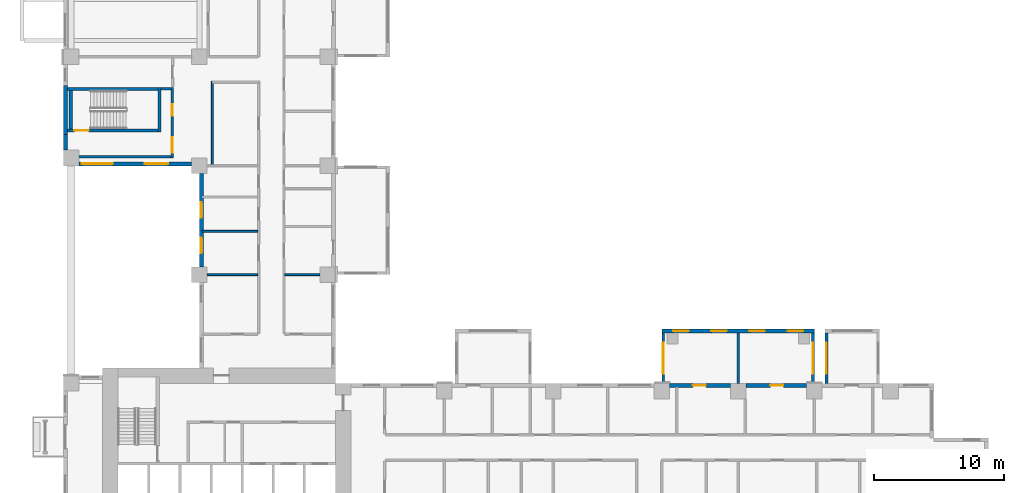
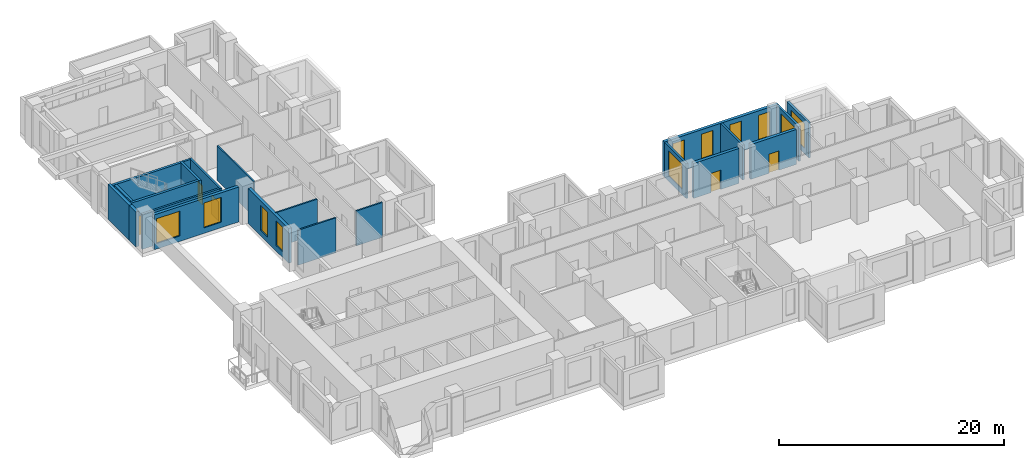
# One storey, part 6 of 14: 22 walls, 11 windows, 5 doors, 16 openings.
"""IFC4 building model written with IfcOpenShell, lengths in metres."""

from ifc_helpers import new_model, si_unit, direction, frame, frame_2d, origin, place, context, subcontext, project, spatial, rectangle, extrude, source, transform, mapped, material, layer, layer_set, type_object, element, fill, save


model = new_model("IFC4")

# Units and contexts
model_context = context("Model", 3, precision=1e-05, world=origin(), true_north=direction((0.0, 1.0)))
body_context = subcontext(model_context, "Body", "Model", "MODEL_VIEW")
ifc_project = project(units=[si_unit("LENGTHUNIT", "METRE"), si_unit("AREAUNIT", "SQUARE_METRE"), si_unit("VOLUMEUNIT", "CUBIC_METRE"), si_unit("PLANEANGLEUNIT", "RADIAN"), si_unit("MASSUNIT", "GRAM", prefix="KILO")], contexts=[model_context])

# Site, building, storey
site_placement = place(None, origin())
site = spatial("IfcSite", under=ifc_project, at=site_placement, CompositionType="ELEMENT")
building_placement = place(site_placement, origin())
building = spatial("IfcBuilding", under=site, at=building_placement, Name="Aurelian Terraces", CompositionType="ELEMENT")
storey_placement = place(building_placement, frame((0.0, 0.0, 78.3)))
storey = spatial("IfcBuildingStorey", under=building, at=storey_placement, Name="L16", CompositionType="ELEMENT", Elevation=78.3)

# Wall, openings, windows
ifc_material_1 = material(Name="Terracotta rainscreen cladding", Category="masonry")
ifc_layer_1 = layer(ifc_material_1, 0.3)
ifc_layer_set_1 = layer_set([ifc_layer_1], Name="EW-300")
wall_type_1 = type_object("IfcWallType", Name="EW-300", PredefinedType="STANDARD", material=ifc_layer_set_1)
shared_shape_1 = source(origin(), body_context, "Body", "SweptSolid", [
    extrude(rectangle(XDim=7.2, YDim=0.3, at=frame_2d((3.6, 0.0))), origin(), (0.0, 0.0, 1.0), 3.8),
])
wall_1_placement = place(storey_placement, frame((10.65, 37.2, 0.0), z_axis=(0.0, 0.0, 1.0), x_axis=(0.0, -1.0, 0.0)))
wall_1 = element("IfcWall", 1, at=wall_1_placement, inside=storey, type_object=wall_type_1, Name="External wall L16 F14.33", PredefinedType="STANDARD", context=body_context, shape_type="MappedRepresentation", body=[
    mapped(shared_shape_1, transform((0.0, 0.0, 0.0), scale=1.0)),
])
shared_shape_2 = source(origin(), body_context, "Body", "SweptSolid", [
    extrude(rectangle(XDim=1.2, YDim=2.7, at=frame_2d((0.6, 1.35))), frame((0.0, 0.16, 0.0), z_axis=(0.0, -1.0, 0.0), x_axis=(1.0, 0.0, 0.0)), (0.0, 0.0, 1.0), 0.32),
])
opening_1_placement = place(wall_1_placement, frame((4.9425, 0.0, 0.6)))
opening_1 = element("IfcOpeningElement", 2, at=opening_1_placement, cuts=wall_1, Name="Opening W1227", PredefinedType="OPENING", context=body_context, shape_type="MappedRepresentation", body=[
    mapped(shared_shape_2, transform((0.0, 0.0, 0.0), scale=1.0)),
])
opening_2_placement = place(wall_1_placement, frame((2.2291, 0.0, 0.6)))
opening_2 = element("IfcOpeningElement", 3, at=opening_2_placement, cuts=wall_1, Name="Opening W1227", PredefinedType="OPENING", context=body_context, shape_type="MappedRepresentation", body=[
    mapped(shared_shape_2, transform((0.0, 0.0, 0.0), scale=1.0)),
])
ifc_material_2 = material(Name="Clear glazing", Category="glass")
window_type_1 = type_object("IfcWindowType", Name="W-1200x2700", PartitioningType="SINGLE_PANEL", PredefinedType="WINDOW", material=ifc_material_2)
shared_shape_3 = source(origin(), body_context, "Body", "SweptSolid", [
    extrude(rectangle(XDim=1.2, YDim=2.7, at=frame_2d((0.6, 1.35))), frame((0.0, 0.03, 0.0), z_axis=(0.0, -1.0, 0.0), x_axis=(1.0, 0.0, 0.0)), (0.0, 0.0, 1.0), 0.06),
])
window_1_placement = place(opening_1_placement, origin())
window_1 = element("IfcWindow", 4, at=window_1_placement, inside=storey, type_object=window_type_1, Name="Window L16 L16-F14-33-1", OverallHeight=2.7, OverallWidth=1.2, PartitioningType="SINGLE_PANEL", PredefinedType="WINDOW", context=body_context, shape_type="MappedRepresentation", body=[
    mapped(shared_shape_3, transform((0.0, 0.0, 0.0), scale=1.0)),
])
fill(opening_1, window_1)
window_2_placement = place(opening_2_placement, origin())
window_2 = element("IfcWindow", 5, at=window_2_placement, inside=storey, type_object=window_type_1, Name="Window L16 L16-F14-33-G0-6", OverallHeight=2.7, OverallWidth=1.2, PartitioningType="SINGLE_PANEL", PredefinedType="WINDOW", context=body_context, shape_type="MappedRepresentation", body=[
    mapped(shared_shape_3, transform((0.0, 0.0, 0.0), scale=1.0)),
])
fill(opening_2, window_2)

# Wall, opening, door
shared_shape_4 = source(origin(), body_context, "Body", "SweptSolid", [
    extrude(rectangle(XDim=4.68, YDim=0.3, at=frame_2d((2.34, 0.0))), origin(), (0.0, 0.0, 1.0), 3.8),
])
wall_2_placement = place(storey_placement, frame((57.36, 20.85, 0.0), z_axis=(0.0, 0.0, 1.0), x_axis=(-1.0, 0.0, 0.0)))
wall_2 = element("IfcWall", 6, at=wall_2_placement, inside=storey, type_object=wall_type_1, Name="External wall L16 F07.18", PredefinedType="STANDARD", context=body_context, shape_type="MappedRepresentation", body=[
    mapped(shared_shape_4, transform((0.0, 0.0, 0.0), scale=1.0)),
])
shared_shape_5 = source(origin(), body_context, "Body", "SweptSolid", [
    extrude(rectangle(XDim=1.0, YDim=2.1, at=frame_2d((0.5, 1.05))), frame((0.0, 0.16, 0.0), z_axis=(0.0, -1.0, 0.0), x_axis=(1.0, 0.0, 0.0)), (0.0, 0.0, 1.0), 0.32),
])
opening_3_placement = place(wall_2_placement, frame((1.7933, 0.0, 0.0)))
opening_3 = element("IfcOpeningElement", 7, at=opening_3_placement, cuts=wall_2, Name="Opening 816007", PredefinedType="OPENING", context=body_context, shape_type="MappedRepresentation", body=[
    mapped(shared_shape_5, transform((0.0, 0.0, 0.0), scale=1.0)),
])
ifc_material_3 = material(Name="Timber door leaf", Category="wood")
door_type_1 = type_object("IfcDoorType", Name="Room door 1000x2100 left", OperationType="SINGLE_SWING_LEFT", PredefinedType="DOOR", material=ifc_material_3)
shared_shape_6 = source(origin(), body_context, "Body", "SweptSolid", [
    extrude(rectangle(XDim=1.0, YDim=2.1, at=frame_2d((0.5, 1.05))), frame((0.0, 0.025, 0.0), z_axis=(0.0, -1.0, 0.0), x_axis=(1.0, 0.0, 0.0)), (0.0, 0.0, 1.0), 0.05),
])
door_1_placement = place(opening_3_placement, origin())
door_1 = element("IfcDoor", 8, at=door_1_placement, inside=storey, type_object=door_type_1, Name="Door 816007", OperationType="SINGLE_SWING_LEFT", OverallHeight=2.1, OverallWidth=1.0, PredefinedType="DOOR", context=body_context, shape_type="MappedRepresentation", body=[
    mapped(shared_shape_6, transform((0.0, 0.0, 0.0), scale=1.0)),
])
fill(opening_3, door_1)

wall_3_placement = place(storey_placement, frame((51.48, 20.85, 0.0), z_axis=(0.0, 0.0, 1.0), x_axis=(-1.0, 0.0, 0.0)))
wall_3 = element("IfcWall", 9, at=wall_3_placement, inside=storey, type_object=wall_type_1, Name="External wall L16 F07.18", PredefinedType="STANDARD", context=body_context, shape_type="MappedRepresentation", body=[
    mapped(shared_shape_4, transform((0.0, 0.0, 0.0), scale=1.0)),
])
opening_4_placement = place(wall_3_placement, frame((1.8867, 0.0, 0.0)))
opening_4 = element("IfcOpeningElement", 10, at=opening_4_placement, cuts=wall_3, Name="Opening 816008", PredefinedType="OPENING", context=body_context, shape_type="MappedRepresentation", body=[
    mapped(shared_shape_5, transform((0.0, 0.0, 0.0), scale=1.0)),
])
door_2_placement = place(opening_4_placement, origin())
door_2 = element("IfcDoor", 11, at=door_2_placement, inside=storey, type_object=door_type_1, Name="Door 816008", OperationType="SINGLE_SWING_LEFT", OverallHeight=2.1, OverallWidth=1.0, PredefinedType="DOOR", context=body_context, shape_type="MappedRepresentation", body=[
    mapped(shared_shape_6, transform((0.0, 0.0, 0.0), scale=1.0)),
])
fill(opening_4, door_2)

# Walls
shared_shape_7 = source(origin(), body_context, "Body", "SweptSolid", [
    extrude(rectangle(XDim=1.2, YDim=0.3, at=frame_2d((0.6, 0.0))), origin(), (0.0, 0.0, 1.0), 3.8),
])
wall_4_placement = place(storey_placement, frame((0.15, 40.2, 0.0), z_axis=(0.0, 0.0, 1.0), x_axis=(0.0, -1.0, 0.0)))
element("IfcWall", 12, at=wall_4_placement, inside=storey, type_object=wall_type_1, Name="External wall L16 F12.31", PredefinedType="STANDARD", context=body_context, shape_type="MappedRepresentation", body=[
    mapped(shared_shape_7, transform((0.0, 0.0, 0.0), scale=1.0)),
])
ifc_material_4 = material(Name="Concrete fc' 40 MPa", Category="concrete")
ifc_layer_2 = layer(ifc_material_4, 0.3)
ifc_layer_set_2 = layer_set([ifc_layer_2], Name="STAIR BAY WALL 300")
wall_type_2 = type_object("IfcWallType", Name="STAIR BAY WALL 300", PredefinedType="SOLIDWALL", material=ifc_layer_set_2)
shared_shape_8 = source(origin(), body_context, "Body", "SweptSolid", [
    extrude(rectangle(XDim=3.8, YDim=0.3, at=frame_2d((1.9, 0.0))), origin(), (0.0, 0.0, 1.0), 3.8),
])
wall_5_placement = place(storey_placement, frame((0.15, 44.0, 0.0), z_axis=(0.0, 0.0, 1.0), x_axis=(0.0, -1.0, 0.0)))
element("IfcWall", 13, at=wall_5_placement, inside=storey, type_object=wall_type_2, Name="Stair bay wall L16 F12.31", PredefinedType="SOLIDWALL", context=body_context, shape_type="MappedRepresentation", body=[
    mapped(shared_shape_8, transform((0.0, 0.0, 0.0), scale=1.0)),
])

# Wall, opening, window
ifc_layer_3 = layer(ifc_material_4, 0.2)
ifc_layer_set_3 = layer_set([ifc_layer_3], Name="BOX BEARING WALL 200")
wall_type_3 = type_object("IfcWallType", Name="BOX BEARING WALL 200", PredefinedType="SOLIDWALL", material=ifc_layer_set_3)
shared_shape_9 = source(origin(), body_context, "Body", "SweptSolid", [
    extrude(rectangle(XDim=3.9, YDim=0.2, at=frame_2d((1.95, 0.0))), origin(), (0.0, 0.0, 1.0), 3.79),
])
wall_6_placement = place(storey_placement, frame((57.86, 21.0, 0.0), z_axis=(0.0, 0.0, 1.0), x_axis=(0.0, 1.0, 0.0)))
wall_6 = element("IfcWall", 14, at=wall_6_placement, inside=storey, type_object=wall_type_3, Name="Box return L16 K01.1", PredefinedType="SOLIDWALL", context=body_context, shape_type="MappedRepresentation", body=[
    mapped(shared_shape_9, transform((0.0, 0.0, 0.0), scale=1.0)),
])
shared_shape_10 = source(origin(), body_context, "Body", "SweptSolid", [
    extrude(rectangle(XDim=2.4, YDim=2.7, at=frame_2d((1.2, 1.35))), frame((0.0, 0.11, 0.0), z_axis=(0.0, -1.0, 0.0), x_axis=(1.0, 0.0, 0.0)), (0.0, 0.0, 1.0), 0.22),
])
opening_5_placement = place(wall_6_placement, frame((0.75, 0.0, 0.6)))
opening_5 = element("IfcOpeningElement", 15, at=opening_5_placement, cuts=wall_6, Name="Opening W2427", PredefinedType="OPENING", context=body_context, shape_type="MappedRepresentation", body=[
    mapped(shared_shape_10, transform((0.0, 0.0, 0.0), scale=1.0)),
])
window_type_2 = type_object("IfcWindowType", Name="W-2400x2700", PartitioningType="SINGLE_PANEL", PredefinedType="WINDOW", material=ifc_material_2)
shared_shape_11 = source(origin(), body_context, "Body", "SweptSolid", [
    extrude(rectangle(XDim=2.4, YDim=2.7, at=frame_2d((1.2, 1.35))), frame((0.0, 0.03, 0.0), z_axis=(0.0, -1.0, 0.0), x_axis=(1.0, 0.0, 0.0)), (0.0, 0.0, 1.0), 0.06),
])
window_3_placement = place(opening_5_placement, origin())
window_3 = element("IfcWindow", 16, at=window_3_placement, inside=storey, type_object=window_type_2, Name="Window L16 K01-S1", OverallHeight=2.7, OverallWidth=2.4, PartitioningType="SINGLE_PANEL", PredefinedType="WINDOW", context=body_context, shape_type="MappedRepresentation", body=[
    mapped(shared_shape_11, transform((0.0, 0.0, 0.0), scale=1.0)),
])
fill(opening_5, window_3)

wall_7_placement = place(storey_placement, frame((46.3, 21.0, 0.0), z_axis=(0.0, 0.0, 1.0), x_axis=(0.0, 1.0, 0.0)))
wall_7 = element("IfcWall", 17, at=wall_7_placement, inside=storey, type_object=wall_type_3, Name="Box return L16 K01.2", PredefinedType="SOLIDWALL", context=body_context, shape_type="MappedRepresentation", body=[
    mapped(shared_shape_9, transform((0.0, 0.0, 0.0), scale=1.0)),
])
opening_6_placement = place(wall_7_placement, frame((0.75, 0.0, 0.6)))
opening_6 = element("IfcOpeningElement", 18, at=opening_6_placement, cuts=wall_7, Name="Opening W2427", PredefinedType="OPENING", context=body_context, shape_type="MappedRepresentation", body=[
    mapped(shared_shape_10, transform((0.0, 0.0, 0.0), scale=1.0)),
])
window_4_placement = place(opening_6_placement, origin())
window_4 = element("IfcWindow", 19, at=window_4_placement, inside=storey, type_object=window_type_2, Name="Window L16 K01-S2", OverallHeight=2.7, OverallWidth=2.4, PartitioningType="SINGLE_PANEL", PredefinedType="WINDOW", context=body_context, shape_type="MappedRepresentation", body=[
    mapped(shared_shape_11, transform((0.0, 0.0, 0.0), scale=1.0)),
])
fill(opening_6, window_4)

shared_shape_12 = source(origin(), body_context, "Body", "SweptSolid", [
    extrude(rectangle(XDim=3.9, YDim=0.2, at=frame_2d((1.95, 0.0))), origin(), (0.0, 0.0, 1.0), 3.8),
])
wall_8_placement = place(storey_placement, frame((58.9, 21.0, 0.0), z_axis=(0.0, 0.0, 1.0), x_axis=(0.0, 1.0, 0.0)))
wall_8 = element("IfcWall", 20, at=wall_8_placement, inside=storey, type_object=wall_type_3, Name="Box return L16 J17.2", PredefinedType="SOLIDWALL", context=body_context, shape_type="MappedRepresentation", body=[
    mapped(shared_shape_12, transform((0.0, 0.0, 0.0), scale=1.0)),
])
opening_7_placement = place(wall_8_placement, frame((0.75, 0.0, 0.6)))
opening_7 = element("IfcOpeningElement", 21, at=opening_7_placement, cuts=wall_8, Name="Opening W2427", PredefinedType="OPENING", context=body_context, shape_type="MappedRepresentation", body=[
    mapped(shared_shape_10, transform((0.0, 0.0, 0.0), scale=1.0)),
])
window_5_placement = place(opening_7_placement, origin())
window_5 = element("IfcWindow", 22, at=window_5_placement, inside=storey, type_object=window_type_2, Name="Window L16 J17-S2", OverallHeight=2.7, OverallWidth=2.4, PartitioningType="SINGLE_PANEL", PredefinedType="WINDOW", context=body_context, shape_type="MappedRepresentation", body=[
    mapped(shared_shape_11, transform((0.0, 0.0, 0.0), scale=1.0)),
])
fill(opening_7, window_5)

# Wall, openings, windows
shared_shape_13 = source(origin(), body_context, "Body", "SweptSolid", [
    extrude(rectangle(XDim=8.7, YDim=0.3, at=frame_2d((4.35, 0.0))), origin(), (0.0, 0.0, 1.0), 3.8),
])
wall_9_placement = place(storey_placement, frame((1.2, 37.95, 0.0), z_axis=(0.0, 0.0, 1.0), x_axis=(1.0, 0.0, 0.0)))
wall_9 = element("IfcWall", 23, at=wall_9_placement, inside=storey, type_object=wall_type_1, Name="External wall L16 F13.32", PredefinedType="STANDARD", context=body_context, shape_type="MappedRepresentation", body=[
    mapped(shared_shape_13, transform((0.0, 0.0, 0.0), scale=1.0)),
])
shared_shape_14 = source(origin(), body_context, "Body", "SweptSolid", [
    extrude(rectangle(XDim=2.4, YDim=2.7, at=frame_2d((1.2, 1.35))), frame((0.0, 0.16, 0.0), z_axis=(0.0, -1.0, 0.0), x_axis=(1.0, 0.0, 0.0)), (0.0, 0.0, 1.0), 0.32),
])
opening_8_placement = place(wall_9_placement, frame((0.225, 0.0, 0.6)))
opening_8 = element("IfcOpeningElement", 24, at=opening_8_placement, cuts=wall_9, Name="Opening W2427", PredefinedType="OPENING", context=body_context, shape_type="MappedRepresentation", body=[
    mapped(shared_shape_14, transform((0.0, 0.0, 0.0), scale=1.0)),
])
shared_shape_15 = source(origin(), body_context, "Body", "SweptSolid", [
    extrude(rectangle(XDim=1.8, YDim=2.7, at=frame_2d((0.9, 1.35))), frame((0.0, 0.16, 0.0), z_axis=(0.0, -1.0, 0.0), x_axis=(1.0, 0.0, 0.0)), (0.0, 0.0, 1.0), 0.32),
])
opening_9_placement = place(wall_9_placement, frame((5.0875, 0.0, 0.6)))
opening_9 = element("IfcOpeningElement", 25, at=opening_9_placement, cuts=wall_9, Name="Opening W1827", PredefinedType="OPENING", context=body_context, shape_type="MappedRepresentation", body=[
    mapped(shared_shape_15, transform((0.0, 0.0, 0.0), scale=1.0)),
])
window_6_placement = place(opening_8_placement, origin())
window_6 = element("IfcWindow", 26, at=window_6_placement, inside=storey, type_object=window_type_2, Name="Window L16 L16-F13-32-0", OverallHeight=2.7, OverallWidth=2.4, PartitioningType="SINGLE_PANEL", PredefinedType="WINDOW", context=body_context, shape_type="MappedRepresentation", body=[
    mapped(shared_shape_11, transform((0.0, 0.0, 0.0), scale=1.0)),
])
fill(opening_8, window_6)
window_type_3 = type_object("IfcWindowType", Name="W-1800x2700", PartitioningType="SINGLE_PANEL", PredefinedType="WINDOW", material=ifc_material_2)
shared_shape_16 = source(origin(), body_context, "Body", "SweptSolid", [
    extrude(rectangle(XDim=1.8, YDim=2.7, at=frame_2d((0.9, 1.35))), frame((0.0, 0.03, 0.0), z_axis=(0.0, -1.0, 0.0), x_axis=(1.0, 0.0, 0.0)), (0.0, 0.0, 1.0), 0.06),
])
window_7_placement = place(opening_9_placement, origin())
window_7 = element("IfcWindow", 27, at=window_7_placement, inside=storey, type_object=window_type_3, Name="Window L16 L16-F13-32-1", OverallHeight=2.7, OverallWidth=1.8, PartitioningType="SINGLE_PANEL", PredefinedType="WINDOW", context=body_context, shape_type="MappedRepresentation", body=[
    mapped(shared_shape_16, transform((0.0, 0.0, 0.0), scale=1.0)),
])
fill(opening_9, window_7)

ifc_layer_4 = layer(ifc_material_4, 0.3)
ifc_layer_set_4 = layer_set([ifc_layer_4], Name="BOX BEARING WALL 300")
wall_type_4 = type_object("IfcWallType", Name="BOX BEARING WALL 300", PredefinedType="SOLIDWALL", material=ifc_layer_set_4)
shared_shape_17 = source(origin(), body_context, "Body", "SweptSolid", [
    extrude(rectangle(XDim=11.76, YDim=0.3, at=frame_2d((5.88, 0.0))), origin(), (0.0, 0.0, 1.0), 3.79),
])
wall_10_placement = place(storey_placement, frame((57.96, 25.05, 0.0), z_axis=(0.0, 0.0, 1.0), x_axis=(-1.0, 0.0, 0.0)))
wall_10 = element("IfcWall", 28, at=wall_10_placement, inside=storey, type_object=wall_type_4, Name="Box wall L16 K01", PredefinedType="SOLIDWALL", context=body_context, shape_type="MappedRepresentation", body=[
    mapped(shared_shape_17, transform((0.0, 0.0, 0.0), scale=1.0)),
])
opening_10_placement = place(wall_10_placement, frame((0.87, 0.0, 0.6)))
opening_10 = element("IfcOpeningElement", 29, at=opening_10_placement, cuts=wall_10, Name="Opening W1227", PredefinedType="OPENING", context=body_context, shape_type="MappedRepresentation", body=[
    mapped(shared_shape_2, transform((0.0, 0.0, 0.0), scale=1.0)),
])
opening_11_placement = place(wall_10_placement, frame((3.81, 0.0, 0.6)))
opening_11 = element("IfcOpeningElement", 30, at=opening_11_placement, cuts=wall_10, Name="Opening W1227", PredefinedType="OPENING", context=body_context, shape_type="MappedRepresentation", body=[
    mapped(shared_shape_2, transform((0.0, 0.0, 0.0), scale=1.0)),
])
opening_12_placement = place(wall_10_placement, frame((6.75, 0.0, 0.6)))
opening_12 = element("IfcOpeningElement", 31, at=opening_12_placement, cuts=wall_10, Name="Opening W1227", PredefinedType="OPENING", context=body_context, shape_type="MappedRepresentation", body=[
    mapped(shared_shape_2, transform((0.0, 0.0, 0.0), scale=1.0)),
])
opening_13_placement = place(wall_10_placement, frame((9.69, 0.0, 0.6)))
opening_13 = element("IfcOpeningElement", 32, at=opening_13_placement, cuts=wall_10, Name="Opening W1227", PredefinedType="OPENING", context=body_context, shape_type="MappedRepresentation", body=[
    mapped(shared_shape_2, transform((0.0, 0.0, 0.0), scale=1.0)),
])
window_8_placement = place(opening_10_placement, origin())
window_8 = element("IfcWindow", 33, at=window_8_placement, inside=storey, type_object=window_type_1, Name="Window L16 K01-F1", OverallHeight=2.7, OverallWidth=1.2, PartitioningType="SINGLE_PANEL", PredefinedType="WINDOW", context=body_context, shape_type="MappedRepresentation", body=[
    mapped(shared_shape_3, transform((0.0, 0.0, 0.0), scale=1.0)),
])
fill(opening_10, window_8)
window_9_placement = place(opening_11_placement, origin())
window_9 = element("IfcWindow", 34, at=window_9_placement, inside=storey, type_object=window_type_1, Name="Window L16 K01-F2", OverallHeight=2.7, OverallWidth=1.2, PartitioningType="SINGLE_PANEL", PredefinedType="WINDOW", context=body_context, shape_type="MappedRepresentation", body=[
    mapped(shared_shape_3, transform((0.0, 0.0, 0.0), scale=1.0)),
])
fill(opening_11, window_9)
window_10_placement = place(opening_12_placement, origin())
window_10 = element("IfcWindow", 35, at=window_10_placement, inside=storey, type_object=window_type_1, Name="Window L16 K01-F3", OverallHeight=2.7, OverallWidth=1.2, PartitioningType="SINGLE_PANEL", PredefinedType="WINDOW", context=body_context, shape_type="MappedRepresentation", body=[
    mapped(shared_shape_3, transform((0.0, 0.0, 0.0), scale=1.0)),
])
fill(opening_12, window_10)
window_11_placement = place(opening_13_placement, origin())
window_11 = element("IfcWindow", 36, at=window_11_placement, inside=storey, type_object=window_type_1, Name="Window L16 K01-F4", OverallHeight=2.7, OverallWidth=1.2, PartitioningType="SINGLE_PANEL", PredefinedType="WINDOW", context=body_context, shape_type="MappedRepresentation", body=[
    mapped(shared_shape_3, transform((0.0, 0.0, 0.0), scale=1.0)),
])
fill(opening_13, window_11)

# Wall
shared_shape_18 = source(origin(), body_context, "Body", "SweptSolid", [
    extrude(rectangle(XDim=3.9, YDim=0.2, at=frame_2d((1.95, 0.0))), origin(), (0.0, 0.0, 1.0), 3.79),
])
wall_11_placement = place(storey_placement, frame((52.08, 21.0, 0.0), z_axis=(0.0, 0.0, 1.0), x_axis=(0.0, 1.0, 0.0)))
element("IfcWall", 37, at=wall_11_placement, inside=storey, type_object=wall_type_3, Name="Box partition L16 K01", PredefinedType="SOLIDWALL", context=body_context, shape_type="MappedRepresentation", body=[
    mapped(shared_shape_18, transform((0.0, 0.0, 0.0), scale=1.0)),
])

# Wall, opening, door
ifc_layer_5 = layer(ifc_material_4, 0.25)
ifc_layer_set_5 = layer_set([ifc_layer_5], Name="Stair enclosure wall 250")
wall_type_5 = type_object("IfcWallType", Name="Stair enclosure wall 250", PredefinedType="SOLIDWALL", material=ifc_layer_set_5)
shared_shape_19 = source(origin(), body_context, "Body", "SweptSolid", [
    extrude(rectangle(XDim=7.0, YDim=0.25, at=frame_2d((3.5, 0.0))), origin(), (0.0, 0.0, 1.0), 3.8),
])
wall_12_placement = place(storey_placement, frame((0.3, 40.525, 0.0), z_axis=(0.0, 0.0, 1.0), x_axis=(1.0, 0.0, 0.0)))
wall_12 = element("IfcWall", 38, at=wall_12_placement, inside=storey, type_object=wall_type_5, Name="L16 core wall ST-S3-W", PredefinedType="SOLIDWALL", context=body_context, shape_type="MappedRepresentation", body=[
    mapped(shared_shape_19, transform((0.0, 0.0, 0.0), scale=1.0)),
])
shared_shape_20 = source(origin(), body_context, "Body", "SweptSolid", [
    extrude(rectangle(XDim=1.1, YDim=2.1, at=frame_2d((0.55, 1.05))), frame((0.0, 0.135, 0.0), z_axis=(0.0, -1.0, 0.0), x_axis=(1.0, 0.0, 0.0)), (0.0, 0.0, 1.0), 0.27),
])
opening_14_placement = place(wall_12_placement, frame((0.55, 0.0, 0.0)))
opening_14 = element("IfcOpeningElement", 39, at=opening_14_placement, cuts=wall_12, Name="Opening 61917", PredefinedType="OPENING", context=body_context, shape_type="MappedRepresentation", body=[
    mapped(shared_shape_20, transform((0.0, 0.0, 0.0), scale=1.0)),
])
ifc_material_5 = material(Name="Steel door leaf", Category="steel")
door_type_2 = type_object("IfcDoorType", Name="Core fire door 1100x2100", OperationType="SINGLE_SWING_LEFT", PredefinedType="DOOR", material=ifc_material_5)
shared_shape_21 = source(origin(), body_context, "Body", "SweptSolid", [
    extrude(rectangle(XDim=1.1, YDim=2.1, at=frame_2d((0.55, 1.05))), frame((0.0, 0.025, 0.0), z_axis=(0.0, -1.0, 0.0), x_axis=(1.0, 0.0, 0.0)), (0.0, 0.0, 1.0), 0.05),
])
door_3_placement = place(opening_14_placement, origin())
door_3 = element("IfcDoor", 40, at=door_3_placement, inside=storey, type_object=door_type_2, Name="Stair door 61917", OperationType="SINGLE_SWING_LEFT", OverallHeight=2.1, OverallWidth=1.1, PredefinedType="DOOR", context=body_context, shape_type="MappedRepresentation", body=[
    mapped(shared_shape_21, transform((0.0, 0.0, 0.0), scale=1.0)),
])
fill(opening_14, door_3)

# Walls
wall_13_placement = place(storey_placement, frame((0.3, 43.725, 0.0), z_axis=(0.0, 0.0, 1.0), x_axis=(1.0, 0.0, 0.0)))
element("IfcWall", 41, at=wall_13_placement, inside=storey, type_object=wall_type_5, Name="L16 core wall ST-S3-E", PredefinedType="SOLIDWALL", context=body_context, shape_type="MappedRepresentation", body=[
    mapped(shared_shape_19, transform((0.0, 0.0, 0.0), scale=1.0)),
])
shared_shape_22 = source(origin(), body_context, "Body", "SweptSolid", [
    extrude(rectangle(XDim=3.45, YDim=0.25, at=frame_2d((1.725, 0.0))), origin(), (0.0, 0.0, 1.0), 3.8),
])
wall_14_placement = place(storey_placement, frame((7.425, 40.4, 0.0), z_axis=(0.0, 0.0, 1.0), x_axis=(0.0, 1.0, 0.0)))
element("IfcWall", 42, at=wall_14_placement, inside=storey, type_object=wall_type_5, Name="L16 core wall ST-S3-N", PredefinedType="SOLIDWALL", context=body_context, shape_type="MappedRepresentation", body=[
    mapped(shared_shape_22, transform((0.0, 0.0, 0.0), scale=1.0)),
])
shared_shape_23 = source(origin(), body_context, "Body", "SweptSolid", [
    extrude(rectangle(XDim=2.95, YDim=0.25, at=frame_2d((1.475, 0.0))), origin(), (0.0, 0.0, 1.0), 3.8),
])
wall_15_placement = place(storey_placement, frame((0.575, 40.65, 0.0), z_axis=(0.0, 0.0, 1.0), x_axis=(0.0, 1.0, 0.0)))
element("IfcWall", 43, at=wall_15_placement, inside=storey, type_object=wall_type_5, Name="L16 core wall ST-S3-SS", PredefinedType="SOLIDWALL", context=body_context, shape_type="MappedRepresentation", body=[
    mapped(shared_shape_23, transform((0.0, 0.0, 0.0), scale=1.0)),
])
ifc_material_6 = material(Name="Gypsum board on steel studs", Category="steel")
ifc_layer_6 = layer(ifc_material_6, 0.2)
ifc_layer_set_6 = layer_set([ifc_layer_6], Name="Core partition 200")
wall_type_6 = type_object("IfcWallType", Name="Core partition 200", PredefinedType="PARTITIONING", material=ifc_layer_set_6)
shared_shape_24 = source(origin(), body_context, "Body", "SweptSolid", [
    extrude(rectangle(XDim=8.0, YDim=0.2, at=frame_2d((4.0, 0.0))), origin(), (0.0, 0.0, 1.0), 3.8),
])
wall_16_placement = place(storey_placement, frame((0.3, 38.5, 0.0), z_axis=(0.0, 0.0, 1.0), x_axis=(1.0, 0.0, 0.0)))
element("IfcWall", 44, at=wall_16_placement, inside=storey, type_object=wall_type_6, Name="L16 core wall ST-S3-VW", PredefinedType="PARTITIONING", context=body_context, shape_type="MappedRepresentation", body=[
    mapped(shared_shape_24, transform((0.0, 0.0, 0.0), scale=1.0)),
])

# Wall, openings, doors
shared_shape_25 = source(origin(), body_context, "Body", "SweptSolid", [
    extrude(rectangle(XDim=5.45, YDim=0.2, at=frame_2d((2.725, 0.0))), origin(), (0.0, 0.0, 1.0), 3.8),
])
wall_17_placement = place(storey_placement, frame((8.4, 38.4, 0.0), z_axis=(0.0, 0.0, 1.0), x_axis=(0.0, 1.0, 0.0)))
wall_17 = element("IfcWall", 45, at=wall_17_placement, inside=storey, type_object=wall_type_6, Name="L16 core wall ST-S3-BN", PredefinedType="PARTITIONING", context=body_context, shape_type="MappedRepresentation", body=[
    mapped(shared_shape_25, transform((0.0, 0.0, 0.0), scale=1.0)),
])
shared_shape_26 = source(origin(), body_context, "Body", "SweptSolid", [
    extrude(rectangle(XDim=1.2, YDim=2.1, at=frame_2d((0.6, 1.05))), frame((0.0, 0.11, 0.0), z_axis=(0.0, -1.0, 0.0), x_axis=(1.0, 0.0, 0.0)), (0.0, 0.0, 1.0), 0.22),
])
opening_15_placement = place(wall_17_placement, frame((0.4, 0.0, 0.0)))
opening_15 = element("IfcOpeningElement", 46, at=opening_15_placement, cuts=wall_17, Name="Opening 61918", PredefinedType="OPENING", context=body_context, shape_type="MappedRepresentation", body=[
    mapped(shared_shape_26, transform((0.0, 0.0, 0.0), scale=1.0)),
])
shared_shape_27 = source(origin(), body_context, "Body", "SweptSolid", [
    extrude(rectangle(XDim=0.9, YDim=2.1, at=frame_2d((0.45, 1.05))), frame((0.0, 0.11, 0.0), z_axis=(0.0, -1.0, 0.0), x_axis=(1.0, 0.0, 0.0)), (0.0, 0.0, 1.0), 0.22),
])
opening_16_placement = place(wall_17_placement, frame((3.25, 0.0, 0.0)))
opening_16 = element("IfcOpeningElement", 47, at=opening_16_placement, cuts=wall_17, Name="Opening 61919", PredefinedType="OPENING", context=body_context, shape_type="MappedRepresentation", body=[
    mapped(shared_shape_27, transform((0.0, 0.0, 0.0), scale=1.0)),
])
door_type_3 = type_object("IfcDoorType", Name="Core riser door 900x2100", OperationType="SINGLE_SWING_LEFT", PredefinedType="DOOR", material=ifc_material_5)
shared_shape_28 = source(origin(), body_context, "Body", "SweptSolid", [
    extrude(rectangle(XDim=0.9, YDim=2.1, at=frame_2d((0.45, 1.05))), frame((0.0, 0.025, 0.0), z_axis=(0.0, -1.0, 0.0), x_axis=(1.0, 0.0, 0.0)), (0.0, 0.0, 1.0), 0.05),
])
door_4_placement = place(opening_16_placement, origin())
door_4 = element("IfcDoor", 48, at=door_4_placement, inside=storey, type_object=door_type_3, Name="Riser door 61919", OperationType="SINGLE_SWING_LEFT", OverallHeight=2.1, OverallWidth=0.9, PredefinedType="DOOR", context=body_context, shape_type="MappedRepresentation", body=[
    mapped(shared_shape_28, transform((0.0, 0.0, 0.0), scale=1.0)),
])
fill(opening_16, door_4)
door_type_4 = type_object("IfcDoorType", Name="Core fire door 1200x2100 right", OperationType="SINGLE_SWING_RIGHT", PredefinedType="DOOR", material=ifc_material_5)
shared_shape_29 = source(origin(), body_context, "Body", "SweptSolid", [
    extrude(rectangle(XDim=1.2, YDim=2.1, at=frame_2d((0.6, 1.05))), frame((0.0, 0.025, 0.0), z_axis=(0.0, -1.0, 0.0), x_axis=(1.0, 0.0, 0.0)), (0.0, 0.0, 1.0), 0.05),
])
door_5_placement = place(opening_15_placement, origin())
door_5 = element("IfcDoor", 49, at=door_5_placement, inside=storey, type_object=door_type_4, Name="Vestibule door 61918", OperationType="SINGLE_SWING_RIGHT", OverallHeight=2.1, OverallWidth=1.2, PredefinedType="DOOR", context=body_context, shape_type="MappedRepresentation", body=[
    mapped(shared_shape_29, transform((0.0, 0.0, 0.0), scale=1.0)),
])
fill(opening_15, door_5)

# Walls
shared_shape_30 = source(origin(), body_context, "Body", "SweptSolid", [
    extrude(rectangle(XDim=0.75, YDim=0.2, at=frame_2d((0.375, 0.0))), origin(), (0.0, 0.0, 1.0), 3.8),
])
wall_18_placement = place(storey_placement, frame((7.55, 43.75, 0.0), z_axis=(0.0, 0.0, 1.0), x_axis=(1.0, 0.0, 0.0)))
element("IfcWall", 50, at=wall_18_placement, inside=storey, type_object=wall_type_6, Name="L16 core wall ST-S3-RE", PredefinedType="PARTITIONING", context=body_context, shape_type="MappedRepresentation", body=[
    mapped(shared_shape_30, transform((0.0, 0.0, 0.0), scale=1.0)),
])
ifc_layer_7 = layer(ifc_material_6, 0.15)
ifc_layer_set_7 = layer_set([ifc_layer_7], Name="Partition 150")
wall_type_7 = type_object("IfcWallType", Name="Partition 150", PredefinedType="PARTITIONING", material=ifc_layer_set_7)
shared_shape_31 = source(origin(), body_context, "Body", "SweptSolid", [
    extrude(rectangle(XDim=6.45, YDim=0.15, at=frame_2d((3.225, 0.0))), origin(), (0.0, 0.0, 1.0), 3.8),
])
wall_19_placement = place(storey_placement, frame((11.5, 44.325, 0.0), z_axis=(0.0, 0.0, 1.0), x_axis=(0.0, -1.0, 0.0)))
element("IfcWall", 51, at=wall_19_placement, inside=storey, type_object=wall_type_7, Name="Partition", PredefinedType="PARTITIONING", context=body_context, shape_type="MappedRepresentation", body=[
    mapped(shared_shape_31, transform((0.0, 0.0, 0.0), scale=1.0)),
])
shared_shape_32 = source(origin(), body_context, "Body", "SweptSolid", [
    extrude(rectangle(XDim=2.701, YDim=0.15, at=frame_2d((1.3505, 0.0))), origin(), (0.0, 0.0, 1.0), 3.8),
])
wall_20_placement = place(storey_placement, frame((19.801, 29.4, 0.0), z_axis=(0.0, 0.0, 1.0), x_axis=(-1.0, 0.0, 0.0)))
element("IfcWall", 52, at=wall_20_placement, inside=storey, type_object=wall_type_7, Name="Partition", PredefinedType="PARTITIONING", context=body_context, shape_type="MappedRepresentation", body=[
    mapped(shared_shape_32, transform((0.0, 0.0, 0.0), scale=1.0)),
])
shared_shape_33 = source(origin(), body_context, "Body", "SweptSolid", [
    extrude(rectangle(XDim=3.901, YDim=0.15, at=frame_2d((1.9505, 0.0))), origin(), (0.0, 0.0, 1.0), 3.8),
])
wall_21_placement = place(storey_placement, frame((15.0, 29.4, 0.0), z_axis=(0.0, 0.0, 1.0), x_axis=(-1.0, 0.0, 0.0)))
element("IfcWall", 53, at=wall_21_placement, inside=storey, type_object=wall_type_7, Name="Partition", PredefinedType="PARTITIONING", context=body_context, shape_type="MappedRepresentation", body=[
    mapped(shared_shape_33, transform((0.0, 0.0, 0.0), scale=1.0)),
])
shared_shape_34 = source(origin(), body_context, "Body", "SweptSolid", [
    extrude(rectangle(XDim=4.295, YDim=0.15, at=frame_2d((2.1475, 0.0))), origin(), (0.0, 0.0, 1.0), 3.8),
])
wall_22_placement = place(storey_placement, frame((15.0, 32.7405, 0.0), z_axis=(0.0, 0.0, 1.0), x_axis=(-1.0, 0.0, 0.0)))
element("IfcWall", 54, at=wall_22_placement, inside=storey, type_object=wall_type_7, Name="Partition", PredefinedType="PARTITIONING", context=body_context, shape_type="MappedRepresentation", body=[
    mapped(shared_shape_34, transform((0.0, 0.0, 0.0), scale=1.0)),
])

save(model, "model.ifc")
